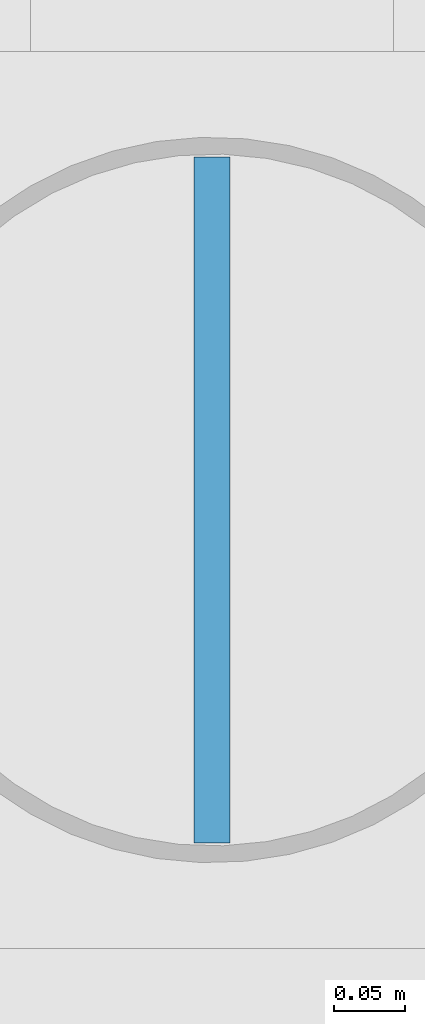
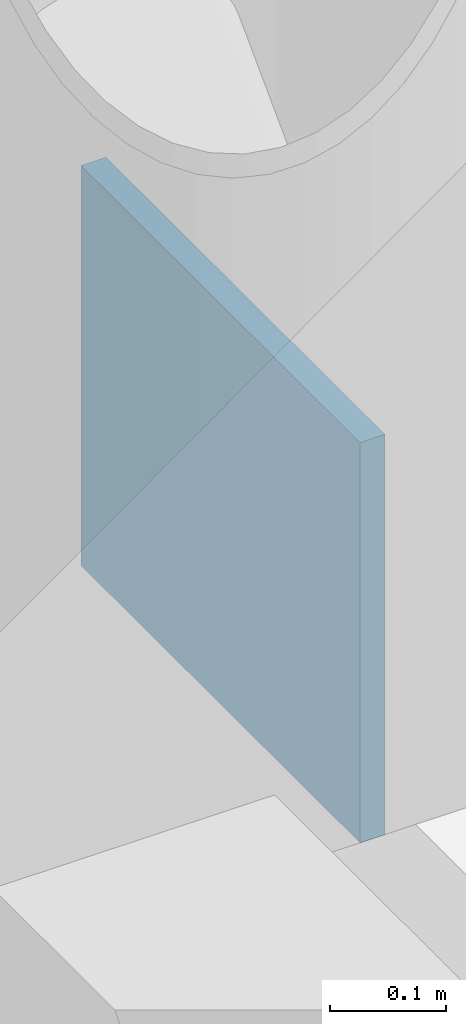
# One storey, part 112 of 156: 1 plate.
"""IFC4 building model written with IfcOpenShell, lengths in metres."""

from ifc_helpers import new_model, si_unit, direction, frame, origin, origin_2d, place, context, subcontext, project, spatial, rectangle, extrude, material, layer, layer_set, type_object, element, save


model = new_model("IFC4")

# Units and contexts
model_context = context("Model", 3, precision=1e-05, world=origin(), true_north=direction((0.0, 1.0)))
body_context = subcontext(model_context, "Body", "Model", "MODEL_VIEW")
ifc_project = project(units=[si_unit("LENGTHUNIT", "METRE"), si_unit("AREAUNIT", "SQUARE_METRE"), si_unit("VOLUMEUNIT", "CUBIC_METRE"), si_unit("PLANEANGLEUNIT", "RADIAN"), si_unit("MASSUNIT", "GRAM", prefix="KILO")], contexts=[model_context])

# Site, building, storey
site_placement = place(None, origin())
site = spatial("IfcSite", under=ifc_project, at=site_placement, CompositionType="ELEMENT")
building_placement = place(site_placement, origin())
building = spatial("IfcBuilding", under=site, at=building_placement, Name="Caurita Quay Ferry Terminal", CompositionType="ELEMENT")
storey_placement = place(building_placement, frame((0.0, 0.0, 5.39990234375)))
storey = spatial("IfcBuildingStorey", under=building, at=storey_placement, Name="L01", CompositionType="ELEMENT", Elevation=5.39990234375)

# Plate
ifc_material = material(Name="Structural plate steel ASTM A572 Gr. 50", Category="steel")
ifc_layer = layer(ifc_material, 0.01806640625, Name="Structural steel connection plate 18 mm")
ifc_layer_set = layer_set([ifc_layer], Name="Structural plate steel ASTM A572 Gr. 50")
plate_type = type_object("IfcPlateType", Name="PLT-STL-18", PredefinedType="USERDEFINED", material=ifc_layer_set)
plate_placement = place(storey_placement, frame((0.0, 62.699951171875, -0.059814453125), z_axis=(0.0, 0.0, 1.0), x_axis=(0.0, 1.0, 0.0)))
element("IfcPlate", 1, at=plate_placement, inside=storey, type_object=plate_type, Name="L01 Seismic Brace Gusset 11-BSL", ObjectType="GUSSET PLATE", PredefinedType="USERDEFINED", context=body_context, shape_type="SweptSolid", body=[
    extrude(rectangle(XDim=0.47998046875, YDim=0.02490234375, at=origin_2d()), origin(), (0.0, 0.0, 1.0), 0.419921875),
])

save(model, "model.ifc")
